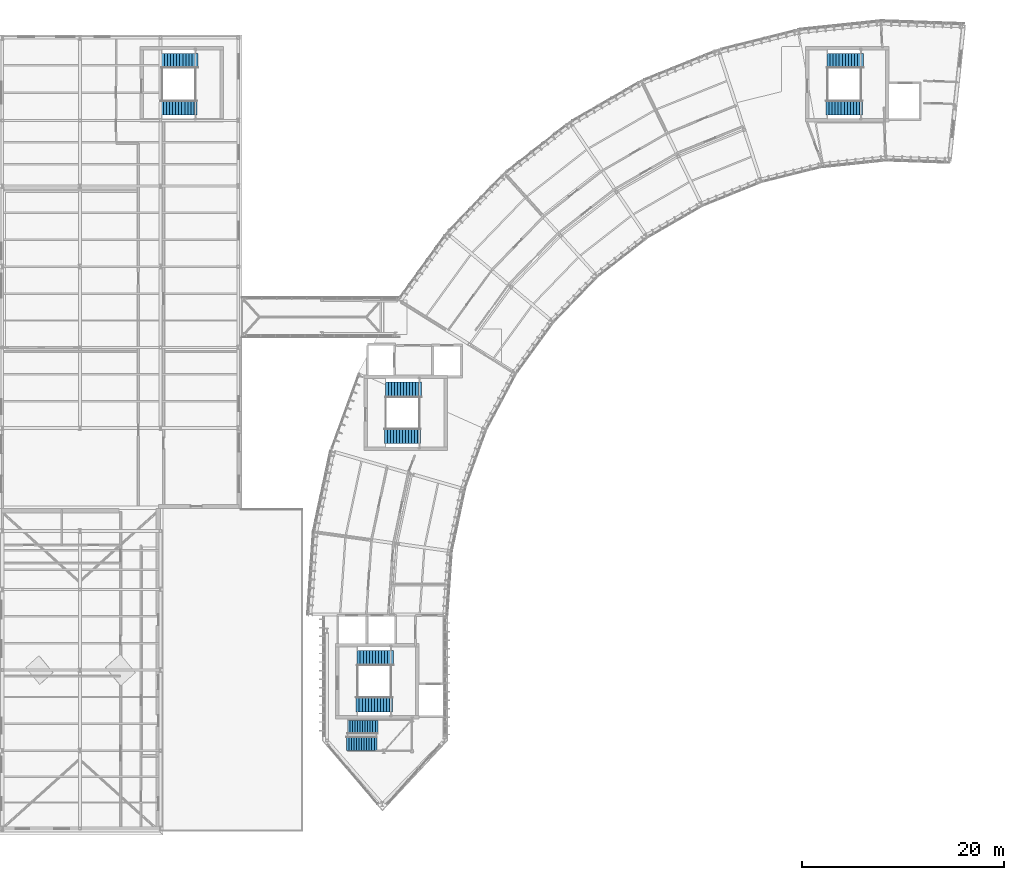
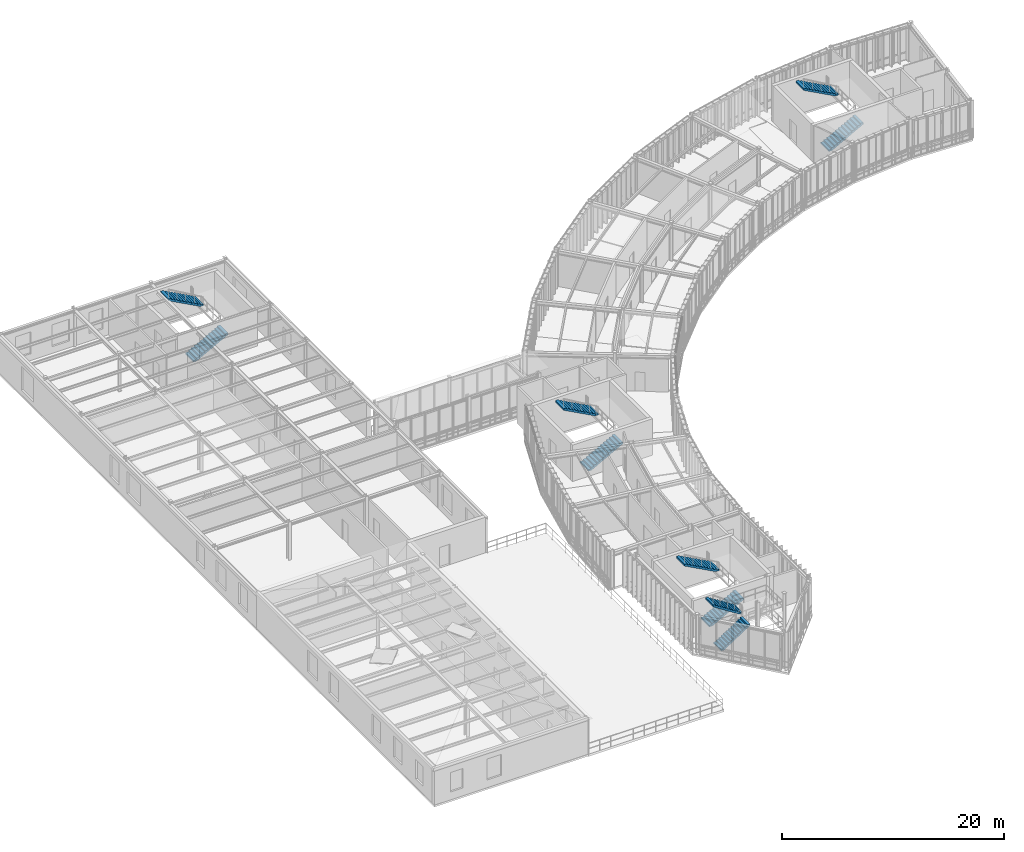
# One storey, part 43 of 52: 10 stair flights, 5 elements without a shape of their own.
"""IFC4 building model written with IfcOpenShell, lengths in metres."""

from ifc_helpers import new_model, si_unit, direction, frame, origin, place, context, subcontext, project, spatial, polyline, outline, extrude, material, type_object, element, aggregate, save


model = new_model("IFC4")

# Units and contexts
model_context = context("Model", 3, precision=1e-05, world=origin(), true_north=direction((0.0, 1.0)))
body_context = subcontext(model_context, "Body", "Model", "MODEL_VIEW")
ifc_project = project(units=[si_unit("LENGTHUNIT", "METRE"), si_unit("AREAUNIT", "SQUARE_METRE"), si_unit("VOLUMEUNIT", "CUBIC_METRE"), si_unit("PLANEANGLEUNIT", "RADIAN"), si_unit("MASSUNIT", "GRAM", prefix="KILO"), si_unit("THERMODYNAMICTEMPERATUREUNIT", "KELVIN"), si_unit("POWERUNIT", "WATT")], contexts=[model_context])

# Site, building, storey
site_placement = place(None, origin())
site = spatial("IfcSite", under=ifc_project, at=site_placement, CompositionType="ELEMENT")
building_placement = place(site_placement, origin())
building = spatial("IfcBuilding", under=site, at=building_placement, Name="Solvatero Civic Police Headquarters", CompositionType="ELEMENT")
storey_placement = place(building_placement, frame((0.0, 0.0, 13.5)))
storey = spatial("IfcBuildingStorey", under=building, at=storey_placement, Name="L03", CompositionType="ELEMENT", Elevation=13.5)

# Stair, stair flights
ifc_material = material(Name="Precast concrete C40/50", Category="concrete")
stair_type_1 = type_object("IfcStairType", Name="STR-C145-420", PredefinedType="HALF_TURN_STAIR", material=ifc_material)
stair_1_placement = place(storey_placement, origin())
stair_1 = element("IfcStair", 1, at=stair_1_placement, inside=storey, type_object=stair_type_1, Name="Protected Exit Stair ST-C3 (L03 to L04)", PredefinedType="HALF_TURN_STAIR")
stair_flight_type_1 = type_object("IfcStairFlightType", Name="SFL-STR-C145-420", PredefinedType="STRAIGHT", material=ifc_material)
stair_flight_1_placement = place(storey_placement, frame((86.5, 76.27490234375, 0.0), z_axis=(0.0, 0.0, 1.0), x_axis=(1.0, 0.0, 0.0)))
stair_flight_1 = element("IfcStairFlight", 2, at=stair_flight_1_placement, type_object=stair_flight_type_1, Name="ST-C3 L03 Flight 1", NumberOfRisers=13, NumberOfTreads=12, PredefinedType="STRAIGHT", RiserHeight=0.161538, TreadLength=0.3, context=body_context, shape_type="SweptSolid", body=[
    extrude(outline(polyline([(0.0, 0.0), (0.0, 0.16162109375), (0.300048828125, 0.16162109375), (0.300048828125, 0.322998046875), (0.60009765625, 0.322998046875), (0.60009765625, 0.484619140625), (0.89990234375, 0.484619140625), (0.89990234375, 0.646240234375), (1.199951171875, 0.646240234375), (1.199951171875, 0.8076171875), (1.5, 0.8076171875), (1.5, 0.96923828125), (1.800048828125, 0.96923828125), (1.800048828125, 1.130859375), (2.10009765625, 1.130859375), (2.10009765625, 1.292236328125), (2.39990234375, 1.292236328125), (2.39990234375, 1.453857421875), (2.699951171875, 1.453857421875), (2.699951171875, 1.615478515625), (3.0, 1.615478515625), (3.0, 1.77685546875), (3.300048828125, 1.77685546875), (3.300048828125, 1.9384765625), (3.60009765625, 1.9384765625), (3.60009765625, 2.10009765625), (3.60009765625, 1.7568359375), (0.33740234375, 0.0), (0.0, 0.0)])), frame((0.0, 0.72509765625, 0.0), z_axis=(0.0, -1.0, 0.0), x_axis=(1.0, 0.0, 0.0)), (0.0, 0.0, 1.0), 1.449951171875),
])
stair_flight_2_placement = place(storey_placement, frame((90.199951171875, 80.925048828125, 2.10009765625), z_axis=(0.0, 0.0, 1.0), x_axis=(-1.0, 0.0, 0.0)))
stair_flight_2 = element("IfcStairFlight", 3, at=stair_flight_2_placement, type_object=stair_flight_type_1, Name="ST-C3 L03 Flight 2", NumberOfRisers=13, NumberOfTreads=12, PredefinedType="STRAIGHT", RiserHeight=0.161538, TreadLength=0.3, context=body_context, shape_type="SweptSolid", body=[
    extrude(outline(polyline([(0.0, 0.0), (0.0, 0.16162109375), (0.300048828125, 0.16162109375), (0.300048828125, 0.322998046875), (0.60009765625, 0.322998046875), (0.60009765625, 0.484619140625), (0.89990234375, 0.484619140625), (0.89990234375, 0.646240234375), (1.199951171875, 0.646240234375), (1.199951171875, 0.8076171875), (1.5, 0.8076171875), (1.5, 0.96923828125), (1.800048828125, 0.96923828125), (1.800048828125, 1.130859375), (2.10009765625, 1.130859375), (2.10009765625, 1.292236328125), (2.39990234375, 1.292236328125), (2.39990234375, 1.453857421875), (2.699951171875, 1.453857421875), (2.699951171875, 1.615478515625), (3.0, 1.615478515625), (3.0, 1.77685546875), (3.300048828125, 1.77685546875), (3.300048828125, 1.9384765625), (3.60009765625, 1.9384765625), (3.60009765625, 2.10009765625), (3.60009765625, 1.7568359375), (0.33740234375, 0.0), (0.0, 0.0)])), frame((0.0, 0.72509765625, 0.0), z_axis=(0.0, -1.0, 0.0), x_axis=(1.0, 0.0, 0.0)), (0.0, 0.0, 1.0), 1.449951171875),
])
aggregate(stair_1, [stair_flight_1, stair_flight_2])

stair_2_placement = place(storey_placement, origin())
stair_2 = element("IfcStair", 4, at=stair_2_placement, inside=storey, type_object=stair_type_1, Name="Protected Exit Stair ST-C4 (L03 to L04)", PredefinedType="HALF_TURN_STAIR")
stair_flight_3_placement = place(storey_placement, frame((20.5, 76.27490234375, 0.0), z_axis=(0.0, 0.0, 1.0), x_axis=(1.0, 0.0, 0.0)))
stair_flight_3 = element("IfcStairFlight", 5, at=stair_flight_3_placement, type_object=stair_flight_type_1, Name="ST-C4 L03 Flight 1", NumberOfRisers=13, NumberOfTreads=12, PredefinedType="STRAIGHT", RiserHeight=0.161538, TreadLength=0.3, context=body_context, shape_type="SweptSolid", body=[
    extrude(outline(polyline([(0.0, 0.0), (0.0, 0.16162109375), (0.300048828125, 0.16162109375), (0.300048828125, 0.322998046875), (0.60009765625, 0.322998046875), (0.60009765625, 0.484619140625), (0.89990234375, 0.484619140625), (0.89990234375, 0.646240234375), (1.199951171875, 0.646240234375), (1.199951171875, 0.8076171875), (1.5, 0.8076171875), (1.5, 0.96923828125), (1.800048828125, 0.96923828125), (1.800048828125, 1.130859375), (2.10009765625, 1.130859375), (2.10009765625, 1.292236328125), (2.39990234375, 1.292236328125), (2.39990234375, 1.453857421875), (2.699951171875, 1.453857421875), (2.699951171875, 1.615478515625), (3.0, 1.615478515625), (3.0, 1.77685546875), (3.300048828125, 1.77685546875), (3.300048828125, 1.9384765625), (3.60009765625, 1.9384765625), (3.60009765625, 2.10009765625), (3.60009765625, 1.7568359375), (0.33740234375, 0.0), (0.0, 0.0)])), frame((0.0, 0.72509765625, 0.0), z_axis=(0.0, -1.0, 0.0), x_axis=(1.0, 0.0, 0.0)), (0.0, 0.0, 1.0), 1.449951171875),
])
stair_flight_4_placement = place(storey_placement, frame((24.199951171875, 80.925048828125, 2.10009765625), z_axis=(0.0, 0.0, 1.0), x_axis=(-1.0, 0.0, 0.0)))
stair_flight_4 = element("IfcStairFlight", 6, at=stair_flight_4_placement, type_object=stair_flight_type_1, Name="ST-C4 L03 Flight 2", NumberOfRisers=13, NumberOfTreads=12, PredefinedType="STRAIGHT", RiserHeight=0.161538, TreadLength=0.3, context=body_context, shape_type="SweptSolid", body=[
    extrude(outline(polyline([(0.0, 0.0), (0.0, 0.16162109375), (0.300048828125, 0.16162109375), (0.300048828125, 0.322998046875), (0.60009765625, 0.322998046875), (0.60009765625, 0.484619140625), (0.89990234375, 0.484619140625), (0.89990234375, 0.646240234375), (1.199951171875, 0.646240234375), (1.199951171875, 0.8076171875), (1.5, 0.8076171875), (1.5, 0.96923828125), (1.800048828125, 0.96923828125), (1.800048828125, 1.130859375), (2.10009765625, 1.130859375), (2.10009765625, 1.292236328125), (2.39990234375, 1.292236328125), (2.39990234375, 1.453857421875), (2.699951171875, 1.453857421875), (2.699951171875, 1.615478515625), (3.0, 1.615478515625), (3.0, 1.77685546875), (3.300048828125, 1.77685546875), (3.300048828125, 1.9384765625), (3.60009765625, 1.9384765625), (3.60009765625, 2.10009765625), (3.60009765625, 1.7568359375), (0.33740234375, 0.0), (0.0, 0.0)])), frame((0.0, 0.72509765625, 0.0), z_axis=(0.0, -1.0, 0.0), x_axis=(1.0, 0.0, 0.0)), (0.0, 0.0, 1.0), 1.449951171875),
])
aggregate(stair_2, [stair_flight_3, stair_flight_4])

stair_type_2 = type_object("IfcStairType", Name="STR-C150-420", PredefinedType="HALF_TURN_STAIR", material=ifc_material)
stair_3_placement = place(storey_placement, origin())
stair_3 = element("IfcStair", 7, at=stair_3_placement, inside=storey, type_object=stair_type_2, Name="Protected Exit Stair ST-C1 (L03 to L04)", PredefinedType="HALF_TURN_STAIR")
stair_flight_type_2 = type_object("IfcStairFlightType", Name="SFL-STR-C150-420", PredefinedType="STRAIGHT", material=ifc_material)
stair_flight_5_placement = place(storey_placement, frame((39.89990234375, 17.10009765625, 0.0), z_axis=(0.0, 0.0, 1.0), x_axis=(1.0, 0.0, 0.0)))
stair_flight_5 = element("IfcStairFlight", 8, at=stair_flight_5_placement, type_object=stair_flight_type_2, Name="ST-C1 L03 Flight 1", NumberOfRisers=13, NumberOfTreads=12, PredefinedType="STRAIGHT", RiserHeight=0.161538, TreadLength=0.3, context=body_context, shape_type="SweptSolid", body=[
    extrude(outline(polyline([(0.0, 0.0), (0.0, 0.16162109375), (0.300048828125, 0.16162109375), (0.300048828125, 0.322998046875), (0.60009765625, 0.322998046875), (0.60009765625, 0.484619140625), (0.89990234375, 0.484619140625), (0.89990234375, 0.646240234375), (1.199951171875, 0.646240234375), (1.199951171875, 0.8076171875), (1.5, 0.8076171875), (1.5, 0.96923828125), (1.800048828125, 0.96923828125), (1.800048828125, 1.130859375), (2.10009765625, 1.130859375), (2.10009765625, 1.292236328125), (2.39990234375, 1.292236328125), (2.39990234375, 1.453857421875), (2.699951171875, 1.453857421875), (2.699951171875, 1.615478515625), (3.0, 1.615478515625), (3.0, 1.77685546875), (3.300048828125, 1.77685546875), (3.300048828125, 1.9384765625), (3.60009765625, 1.9384765625), (3.60009765625, 2.10009765625), (3.60009765625, 1.7568359375), (0.33740234375, 0.0), (0.0, 0.0)])), frame((0.0, 0.75, 0.0), z_axis=(0.0, -1.0, 0.0), x_axis=(1.0, 0.0, 0.0)), (0.0, 0.0, 1.0), 1.5),
])
stair_flight_6_placement = place(storey_placement, frame((43.60009765625, 21.699951171875, 2.10009765625), z_axis=(0.0, 0.0, 1.0), x_axis=(-1.0, 0.0, 0.0)))
stair_flight_6 = element("IfcStairFlight", 9, at=stair_flight_6_placement, type_object=stair_flight_type_2, Name="ST-C1 L03 Flight 2", NumberOfRisers=13, NumberOfTreads=12, PredefinedType="STRAIGHT", RiserHeight=0.161538, TreadLength=0.3, context=body_context, shape_type="SweptSolid", body=[
    extrude(outline(polyline([(0.0, 0.0), (0.0, 0.16162109375), (0.300048828125, 0.16162109375), (0.300048828125, 0.322998046875), (0.60009765625, 0.322998046875), (0.60009765625, 0.484619140625), (0.89990234375, 0.484619140625), (0.89990234375, 0.646240234375), (1.199951171875, 0.646240234375), (1.199951171875, 0.8076171875), (1.5, 0.8076171875), (1.5, 0.96923828125), (1.800048828125, 0.96923828125), (1.800048828125, 1.130859375), (2.10009765625, 1.130859375), (2.10009765625, 1.292236328125), (2.39990234375, 1.292236328125), (2.39990234375, 1.453857421875), (2.699951171875, 1.453857421875), (2.699951171875, 1.615478515625), (3.0, 1.615478515625), (3.0, 1.77685546875), (3.300048828125, 1.77685546875), (3.300048828125, 1.9384765625), (3.60009765625, 1.9384765625), (3.60009765625, 2.10009765625), (3.60009765625, 1.7568359375), (0.33740234375, 0.0), (0.0, 0.0)])), frame((0.0, 0.75, 0.0), z_axis=(0.0, -1.0, 0.0), x_axis=(1.0, 0.0, 0.0)), (0.0, 0.0, 1.0), 1.5),
])
aggregate(stair_3, [stair_flight_5, stair_flight_6])

stair_4_placement = place(storey_placement, origin())
stair_4 = element("IfcStair", 10, at=stair_4_placement, inside=storey, type_object=stair_type_2, Name="Protected Exit Stair ST-C2 (L03 to L04)", PredefinedType="HALF_TURN_STAIR")
stair_flight_7_placement = place(storey_placement, frame((42.699951171875, 43.699951171875, 0.0), z_axis=(0.0, 0.0, 1.0), x_axis=(1.0, 0.0, 0.0)))
stair_flight_7 = element("IfcStairFlight", 11, at=stair_flight_7_placement, type_object=stair_flight_type_2, Name="ST-C2 L03 Flight 1", NumberOfRisers=13, NumberOfTreads=12, PredefinedType="STRAIGHT", RiserHeight=0.161538, TreadLength=0.3, context=body_context, shape_type="SweptSolid", body=[
    extrude(outline(polyline([(0.0, 0.0), (0.0, 0.16162109375), (0.300048828125, 0.16162109375), (0.300048828125, 0.322998046875), (0.60009765625, 0.322998046875), (0.60009765625, 0.484619140625), (0.89990234375, 0.484619140625), (0.89990234375, 0.646240234375), (1.199951171875, 0.646240234375), (1.199951171875, 0.8076171875), (1.5, 0.8076171875), (1.5, 0.96923828125), (1.800048828125, 0.96923828125), (1.800048828125, 1.130859375), (2.10009765625, 1.130859375), (2.10009765625, 1.292236328125), (2.39990234375, 1.292236328125), (2.39990234375, 1.453857421875), (2.699951171875, 1.453857421875), (2.699951171875, 1.615478515625), (3.0, 1.615478515625), (3.0, 1.77685546875), (3.300048828125, 1.77685546875), (3.300048828125, 1.9384765625), (3.60009765625, 1.9384765625), (3.60009765625, 2.10009765625), (3.60009765625, 1.7568359375), (0.33740234375, 0.0), (0.0, 0.0)])), frame((0.0, 0.75, 0.0), z_axis=(0.0, -1.0, 0.0), x_axis=(1.0, 0.0, 0.0)), (0.0, 0.0, 1.0), 1.5),
])
stair_flight_8_placement = place(storey_placement, frame((46.39990234375, 48.300048828125, 2.10009765625), z_axis=(0.0, 0.0, 1.0), x_axis=(-1.0, 0.0, 0.0)))
stair_flight_8 = element("IfcStairFlight", 12, at=stair_flight_8_placement, type_object=stair_flight_type_2, Name="ST-C2 L03 Flight 2", NumberOfRisers=13, NumberOfTreads=12, PredefinedType="STRAIGHT", RiserHeight=0.161538, TreadLength=0.3, context=body_context, shape_type="SweptSolid", body=[
    extrude(outline(polyline([(0.0, 0.0), (0.0, 0.16162109375), (0.300048828125, 0.16162109375), (0.300048828125, 0.322998046875), (0.60009765625, 0.322998046875), (0.60009765625, 0.484619140625), (0.89990234375, 0.484619140625), (0.89990234375, 0.646240234375), (1.199951171875, 0.646240234375), (1.199951171875, 0.8076171875), (1.5, 0.8076171875), (1.5, 0.96923828125), (1.800048828125, 0.96923828125), (1.800048828125, 1.130859375), (2.10009765625, 1.130859375), (2.10009765625, 1.292236328125), (2.39990234375, 1.292236328125), (2.39990234375, 1.453857421875), (2.699951171875, 1.453857421875), (2.699951171875, 1.615478515625), (3.0, 1.615478515625), (3.0, 1.77685546875), (3.300048828125, 1.77685546875), (3.300048828125, 1.9384765625), (3.60009765625, 1.9384765625), (3.60009765625, 2.10009765625), (3.60009765625, 1.7568359375), (0.33740234375, 0.0), (0.0, 0.0)])), frame((0.0, 0.75, 0.0), z_axis=(0.0, -1.0, 0.0), x_axis=(1.0, 0.0, 0.0)), (0.0, 0.0, 1.0), 1.5),
])
aggregate(stair_4, [stair_flight_7, stair_flight_8])

stair_type_3 = type_object("IfcStairType", Name="STR-PRW-420", PredefinedType="HALF_TURN_STAIR", material=ifc_material)
stair_5_placement = place(storey_placement, origin())
stair_5 = element("IfcStair", 13, at=stair_5_placement, inside=storey, type_object=stair_type_3, Name="Glazed Prow Ceremonial Stair (L03 to L04)", PredefinedType="HALF_TURN_STAIR")
stair_flight_type_3 = type_object("IfcStairFlightType", Name="SFL-STR-PRW-420", PredefinedType="STRAIGHT", material=ifc_material)
stair_flight_9_placement = place(storey_placement, frame((38.93994140625, 13.219970703125, 0.0), z_axis=(0.0, 0.0, 1.0), x_axis=(1.0, 0.0, 0.0)))
stair_flight_9 = element("IfcStairFlight", 14, at=stair_flight_9_placement, type_object=stair_flight_type_3, Name="ST-PRW L03 Flight 1", NumberOfRisers=13, NumberOfTreads=12, PredefinedType="STRAIGHT", RiserHeight=0.161538, TreadLength=0.25, context=body_context, shape_type="SweptSolid", body=[
    extrude(outline(polyline([(0.0, 0.0), (0.0, 0.16162109375), (0.25, 0.16162109375), (0.25, 0.322998046875), (0.5, 0.322998046875), (0.5, 0.484619140625), (0.75, 0.484619140625), (0.75, 0.646240234375), (1.0, 0.646240234375), (1.0, 0.8076171875), (1.25, 0.8076171875), (1.25, 0.96923828125), (1.5, 0.96923828125), (1.5, 1.130859375), (1.75, 1.130859375), (1.75, 1.292236328125), (2.0, 1.292236328125), (2.0, 1.453857421875), (2.25, 1.453857421875), (2.25, 1.615478515625), (2.5, 1.615478515625), (2.5, 1.77685546875), (2.75, 1.77685546875), (2.75, 1.9384765625), (3.0, 1.9384765625), (3.0, 2.10009765625), (3.0, 1.748046875), (0.294677734375, 0.0), (0.0, 0.0)])), frame((0.0, 0.68017578125, 0.0), z_axis=(0.0, -1.0, 0.0), x_axis=(1.0, 0.0, 0.0)), (0.0, 0.0, 1.0), 1.360107421875),
])
stair_flight_10_placement = place(storey_placement, frame((42.0400390625, 14.820068359375, 2.10009765625), z_axis=(0.0, 0.0, 1.0), x_axis=(-1.0, 0.0, 0.0)))
stair_flight_10 = element("IfcStairFlight", 15, at=stair_flight_10_placement, type_object=stair_flight_type_3, Name="ST-PRW L03 Flight 2", NumberOfRisers=13, NumberOfTreads=12, PredefinedType="STRAIGHT", RiserHeight=0.161538, TreadLength=0.25, context=body_context, shape_type="SweptSolid", body=[
    extrude(outline(polyline([(0.0, 0.0), (0.0, 0.16162109375), (0.25, 0.16162109375), (0.25, 0.322998046875), (0.5, 0.322998046875), (0.5, 0.484619140625), (0.75, 0.484619140625), (0.75, 0.646240234375), (1.0, 0.646240234375), (1.0, 0.8076171875), (1.25, 0.8076171875), (1.25, 0.96923828125), (1.5, 0.96923828125), (1.5, 1.130859375), (1.75, 1.130859375), (1.75, 1.292236328125), (2.0, 1.292236328125), (2.0, 1.453857421875), (2.25, 1.453857421875), (2.25, 1.615478515625), (2.5, 1.615478515625), (2.5, 1.77685546875), (2.75, 1.77685546875), (2.75, 1.9384765625), (3.0, 1.9384765625), (3.0, 2.10009765625), (3.0, 1.748046875), (0.294677734375, 0.0), (0.0, 0.0)])), frame((0.0, 0.68017578125, 0.0), z_axis=(0.0, -1.0, 0.0), x_axis=(1.0, 0.0, 0.0)), (0.0, 0.0, 1.0), 1.360107421875),
])
aggregate(stair_5, [stair_flight_9, stair_flight_10])

save(model, "model.ifc")
